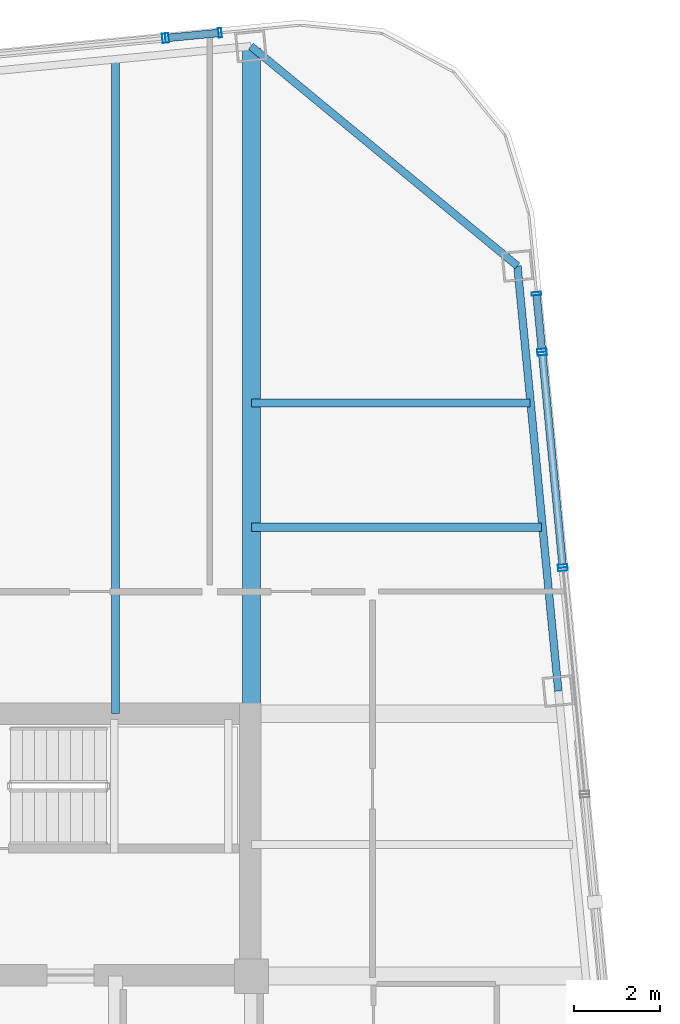
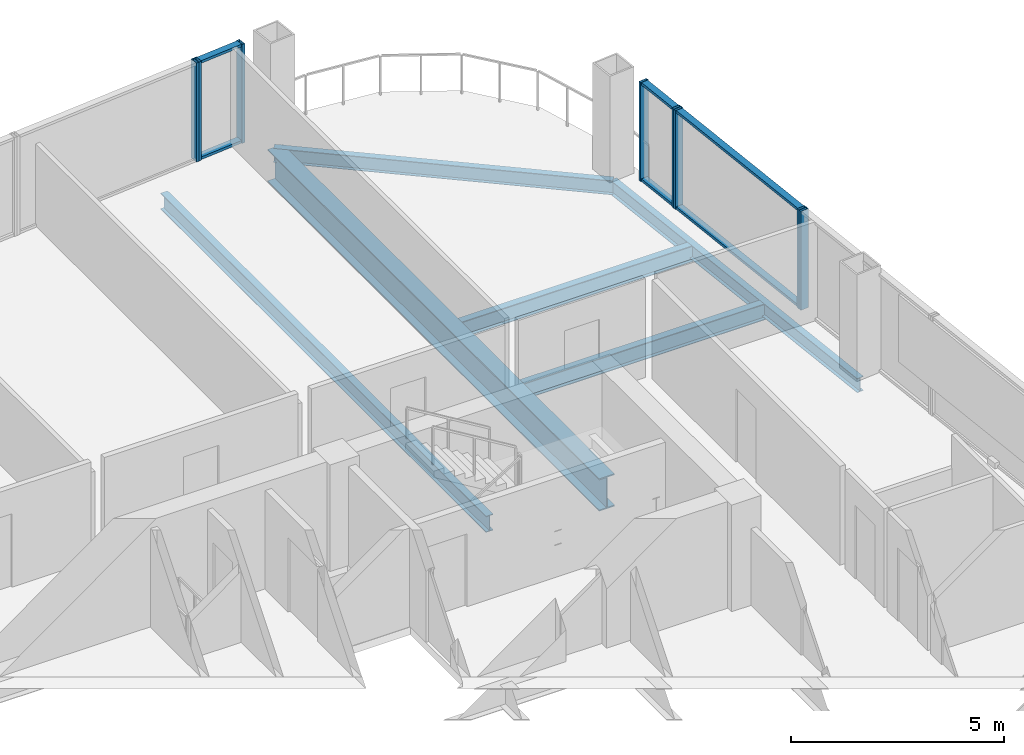
# One storey, part 15 of 22: 14 members, 6 beams, 5 elements without a shape of their own.
"""IFC4 building model written with IfcOpenShell, lengths in metres."""

from ifc_helpers import new_model, si_unit, direction, frame, origin, origin_2d, place, context, subcontext, project, spatial, hollow_rectangle, i_section, extrude, material, layer, layer_set, material_profile, profile_set, type_object, element, aggregate, save


model = new_model("IFC4")

# Units and contexts
model_context = context("Model", 3, precision=1e-05, world=origin(), true_north=direction((0.0, 1.0)))
body_context = subcontext(model_context, "Body", "Model", "MODEL_VIEW")
ifc_project = project(units=[si_unit("LENGTHUNIT", "METRE"), si_unit("AREAUNIT", "SQUARE_METRE"), si_unit("VOLUMEUNIT", "CUBIC_METRE"), si_unit("PLANEANGLEUNIT", "RADIAN"), si_unit("MASSUNIT", "GRAM", prefix="KILO")], contexts=[model_context])

# Site, building, storey
site_placement = place(None, origin())
site = spatial("IfcSite", under=ifc_project, at=site_placement, CompositionType="ELEMENT")
building_placement = place(site_placement, origin())
building = spatial("IfcBuilding", under=site, at=building_placement, Name="Qhalaya Broadcast Tower", CompositionType="ELEMENT")
storey_placement = place(building_placement, frame((0.0, 0.0, 165.300048828125)))
storey = spatial("IfcBuildingStorey", under=building, at=storey_placement, Name="L48", CompositionType="ELEMENT", Elevation=165.300048828125)

# Beams
ifc_material_1 = material(Name="Structural Steel ASTM A992 Grade 50", Category="steel")
ifc_material_profile_1 = material_profile(ifc_material_1, i_section(OverallWidth=0.19189453125, OverallDepth=0.462890625, WebThickness=0.010498046875, FlangeThickness=0.017578125, at=origin_2d()), Name="W18X60")
ifc_profile_set_1 = profile_set([ifc_material_profile_1], Name="Structural Steel ASTM A992 Grade 50")
beam_type_1 = type_object("IfcBeamType", Name="Composite Floor Joist J03", PredefinedType="JOIST", material=ifc_profile_set_1)
beam_1_placement = place(storey_placement, frame((6.199951171875, 9.949951171875, -0.45166015625), z_axis=(0.0, 1.0, 0.0), x_axis=(-1.0, 0.0, 0.0)))
element("IfcBeam", 1, at=beam_1_placement, inside=storey, type_object=beam_type_1, Name="L48 J03 L48-JNN5-1", PredefinedType="JOIST", context=body_context, shape_type="SweptSolid", body=[
    extrude(i_section(OverallWidth=0.19189453125, OverallDepth=0.462890625, WebThickness=0.010498046875, FlangeThickness=0.017578125, at=origin_2d()), origin(), (0.0, 0.0, 1.0), 15.25341796875),
])
beam_2_placement = place(storey_placement, frame((9.375, 14.300048828125, -0.45166015625), z_axis=(1.0, 0.0, 0.0), x_axis=(0.0, 1.0, 0.0)))
element("IfcBeam", 2, at=beam_2_placement, inside=storey, type_object=beam_type_1, Name="L48 J03 L48-JWE6E-1", PredefinedType="JOIST", context=body_context, shape_type="SweptSolid", body=[
    extrude(i_section(OverallWidth=0.19189453125, OverallDepth=0.462890625, WebThickness=0.010498046875, FlangeThickness=0.017578125, at=origin_2d()), origin(), (0.0, 0.0, 1.0), 6.7744140625),
])
beam_3_placement = place(storey_placement, frame((9.375, 17.199951171875, -0.45166015625), z_axis=(1.0, 0.0, 0.0), x_axis=(0.0, 1.0, 0.0)))
element("IfcBeam", 3, at=beam_3_placement, inside=storey, type_object=beam_type_1, Name="L48 J03 L48-JWE7E-1", PredefinedType="JOIST", context=body_context, shape_type="SweptSolid", body=[
    extrude(i_section(OverallWidth=0.19189453125, OverallDepth=0.462890625, WebThickness=0.010498046875, FlangeThickness=0.017578125, at=origin_2d()), origin(), (0.0, 0.0, 1.0), 6.4951171875),
])
ifc_material_profile_2 = material_profile(ifc_material_1, i_section(OverallWidth=0.4189453125, OverallDepth=0.927001953125, WebThickness=0.019287109375, FlangeThickness=0.031982421875, at=origin_2d()), Name="W36X231")
ifc_profile_set_2 = profile_set([ifc_material_profile_2], Name="Structural Steel ASTM A992 Grade 50")
beam_type_2 = type_object("IfcBeamType", Name="Mid Block Primary Girder PG3", PredefinedType="USERDEFINED", material=ifc_profile_set_2)
beam_4_placement = place(storey_placement, frame((9.375, 9.949951171875, -0.68359375), z_axis=(0.0, 1.0, 0.0), x_axis=(-1.0, 0.0, 0.0)))
element("IfcBeam", 4, at=beam_4_placement, inside=storey, type_object=beam_type_2, Name="L48 PG3 L48-PGXN2-1", ObjectType="GIRDER", PredefinedType="USERDEFINED", context=body_context, shape_type="SweptSolid", body=[
    extrude(i_section(OverallWidth=0.4189453125, OverallDepth=0.927001953125, WebThickness=0.019287109375, FlangeThickness=0.031982421875, at=origin_2d()), origin(), (0.0, 0.0, 1.0), 15.541259765625),
])

# Curtain wall, member
ifc_material_2 = material(Name="Solar-Control Low-E Triple Glazing", Category="glass")
ifc_layer_1 = layer(ifc_material_2, 0.219970703125, Name="Solar-Control Low-E Triple Glazing")
ifc_layer_set_1 = layer_set([ifc_layer_1], Name="Solar-Control Low-E Triple Glazing")
curtain_wall_type_1 = type_object("IfcCurtainWallType", Name="Even-Block 4-Storey Double-Module Curtain Wall CW-03", PredefinedType="NOTDEFINED", material=ifc_layer_set_1)
curtain_wall_1_placement = place(storey_placement, origin())
curtain_wall_1 = element("IfcCurtainWall", 5, at=curtain_wall_1_placement, inside=storey, type_object=curtain_wall_type_1, Name="L48 Unitised Curtain Wall L48-CW-E5", PredefinedType="NOTDEFINED")
ifc_material_3 = material(Name="Anodised Aluminium 6063-T6", Category="aluminium")
ifc_material_profile_3 = material_profile(ifc_material_3, hollow_rectangle(XDim=0.074951171875, YDim=0.219970703125, WallThickness=0.00390625, at=origin_2d()), Name="ALU-MUL 75x220x4")
ifc_profile_set_3 = profile_set([ifc_material_profile_3], Name="Anodised Aluminium 6063-T6")
member_type_1 = type_object("IfcMemberType", Name="Unitised Curtain-Wall Mullion M01", PredefinedType="MULLION", material=ifc_profile_set_3)
member_1_placement = place(storey_placement, frame((16.6455078125, 13.3212890625, 0.0), z_axis=(0.0, 0.0, 1.0), x_axis=(-0.095837976406, 0.995396947091, 0.0)))
member_1 = element("IfcMember", 6, at=member_1_placement, type_object=member_type_1, Name="CW-03 mullion 2", PredefinedType="MULLION", context=body_context, shape_type="SweptSolid", body=[
    extrude(hollow_rectangle(XDim=0.074951171875, YDim=0.219970703125, WallThickness=0.00390625, at=origin_2d()), origin(), (0.0, 0.0, 1.0), 2.829833984375),
])
aggregate(curtain_wall_1, [member_1])

# Curtain wall, members
ifc_material_4 = material(Name="Fired Architectural Terracotta", Category="masonry")
ifc_layer_2 = layer(ifc_material_4, 0.219970703125, Name="Fired Architectural Terracotta")
ifc_layer_set_2 = layer_set([ifc_layer_2], Name="Fired Architectural Terracotta")
curtain_wall_type_2 = type_object("IfcCurtainWallType", Name="Block-Cap Unitised Terracotta Spandrel Wall CW-07", PredefinedType="NOTDEFINED", material=ifc_layer_set_2)
curtain_wall_2_placement = place(storey_placement, origin())
curtain_wall_2 = element("IfcCurtainWall", 7, at=curtain_wall_2_placement, inside=storey, type_object=curtain_wall_type_2, Name="L48 Unitised Curtain Wall L48-CW-E6", PredefinedType="NOTDEFINED")
member_2_placement = place(storey_placement, frame((16.638427734375, 13.39599609375, 0.0), z_axis=(0.0, 0.0, 1.0), x_axis=(-0.095846949325, 0.995396083127, 0.0)))
member_2 = element("IfcMember", 8, at=member_2_placement, type_object=member_type_1, Name="CW-07 mullion 1", PredefinedType="MULLION", context=body_context, shape_type="SweptSolid", body=[
    extrude(hollow_rectangle(XDim=0.074951171875, YDim=0.219970703125, WallThickness=0.00390625, at=origin_2d()), origin(), (0.0, 0.0, 1.0), 2.829833984375),
])
member_3_placement = place(storey_placement, frame((16.160888671875, 18.35400390625, 0.0), z_axis=(0.0, 0.0, 1.0), x_axis=(-0.095846949325, 0.995396083127, 0.0)))
member_3 = element("IfcMember", 9, at=member_3_placement, type_object=member_type_1, Name="CW-07 mullion 2", PredefinedType="MULLION", context=body_context, shape_type="SweptSolid", body=[
    extrude(hollow_rectangle(XDim=0.074951171875, YDim=0.219970703125, WallThickness=0.00390625, at=origin_2d()), origin(), (0.0, 0.0, 1.0), 2.829833984375),
])

curtain_wall_3_placement = place(storey_placement, origin())
curtain_wall_3 = element("IfcCurtainWall", 10, at=curtain_wall_3_placement, inside=storey, type_object=curtain_wall_type_1, Name="L48 Unitised Curtain Wall L48-CW-E7", PredefinedType="NOTDEFINED")
member_4_placement = place(storey_placement, frame((16.15380859375, 18.4287109375, 0.0), z_axis=(0.0, 0.0, 1.0), x_axis=(-0.095873796301, 0.99539349766, 0.0)))
member_4 = element("IfcMember", 11, at=member_4_placement, type_object=member_type_1, Name="CW-03 mullion 1", PredefinedType="MULLION", context=body_context, shape_type="SweptSolid", body=[
    extrude(hollow_rectangle(XDim=0.074951171875, YDim=0.219970703125, WallThickness=0.00390625, at=origin_2d()), origin(), (0.0, 0.0, 1.0), 2.829833984375),
])
member_5_placement = place(storey_placement, frame((16.026123046875, 19.75244140625, 0.0), z_axis=(0.0, 0.0, 1.0), x_axis=(-0.095873796301, 0.99539349766, 0.0)))
member_5 = element("IfcMember", 12, at=member_5_placement, type_object=member_type_1, Name="CW-03 mullion 2", PredefinedType="MULLION", context=body_context, shape_type="SweptSolid", body=[
    extrude(hollow_rectangle(XDim=0.074951171875, YDim=0.219970703125, WallThickness=0.00390625, at=origin_2d()), origin(), (0.0, 0.0, 1.0), 2.829833984375),
])

curtain_wall_4_placement = place(storey_placement, origin())
curtain_wall_4 = element("IfcCurtainWall", 13, at=curtain_wall_4_placement, inside=storey, type_object=curtain_wall_type_1, Name="L48 Unitised Curtain Wall L48-CW-N1", PredefinedType="NOTDEFINED")
member_6_placement = place(storey_placement, frame((8.64111328125, 25.840087890625, 0.0), z_axis=(0.0, 0.0, 1.0), x_axis=(-0.99539857312, -0.095821086563, 0.0)))
member_6 = element("IfcMember", 14, at=member_6_placement, type_object=member_type_1, Name="CW-03 mullion 1", PredefinedType="MULLION", context=body_context, shape_type="SweptSolid", body=[
    extrude(hollow_rectangle(XDim=0.074951171875, YDim=0.219970703125, WallThickness=0.00390625, at=origin_2d()), origin(), (0.0, 0.0, 1.0), 2.829833984375),
])
member_7_placement = place(storey_placement, frame((7.406982421875, 25.721435546875, 0.0), z_axis=(0.0, 0.0, 1.0), x_axis=(-0.99539857312, -0.095821086563, 0.0)))
member_7 = element("IfcMember", 15, at=member_7_placement, type_object=member_type_1, Name="CW-03 mullion 2", PredefinedType="MULLION", context=body_context, shape_type="SweptSolid", body=[
    extrude(hollow_rectangle(XDim=0.074951171875, YDim=0.219970703125, WallThickness=0.00390625, at=origin_2d()), origin(), (0.0, 0.0, 1.0), 2.829833984375),
])

# Curtain wall, member
curtain_wall_5_placement = place(storey_placement, origin())
curtain_wall_5 = element("IfcCurtainWall", 16, at=curtain_wall_5_placement, inside=storey, type_object=curtain_wall_type_2, Name="L48 Unitised Curtain Wall L48-CW-N2", PredefinedType="NOTDEFINED")
member_8_placement = place(storey_placement, frame((7.332275390625, 25.714111328125, 0.0), z_axis=(0.0, 0.0, 1.0), x_axis=(-0.995395267059, -0.095855424032, 0.0)))
member_8 = element("IfcMember", 17, at=member_8_placement, type_object=member_type_1, Name="CW-07 mullion 1", PredefinedType="MULLION", context=body_context, shape_type="SweptSolid", body=[
    extrude(hollow_rectangle(XDim=0.074951171875, YDim=0.219970703125, WallThickness=0.00390625, at=origin_2d()), origin(), (0.0, 0.0, 1.0), 2.829833984375),
])
aggregate(curtain_wall_5, [member_8])

# Member
ifc_material_profile_4 = material_profile(ifc_material_3, hollow_rectangle(XDim=0.074951171875, YDim=0.179931640625, WallThickness=0.00390625, at=origin_2d()), Name="ALU-TRN 75x180x4")
ifc_profile_set_4 = profile_set([ifc_material_profile_4], Name="Anodised Aluminium 6063-T6")
member_type_2 = type_object("IfcMemberType", Name="Unitised Curtain-Wall Transom T01", PredefinedType="USERDEFINED", material=ifc_profile_set_4)
member_9_placement = place(storey_placement, frame((16.634765625, 13.433349609375, 0.037353515625), z_axis=(-0.0958470571, 0.99539607275, 0.0), x_axis=(0.0, 0.0, 1.0)))
member_9 = element("IfcMember", 18, at=member_9_placement, type_object=member_type_2, Name="CW-07 transom 1.1", ObjectType="TRANSOM", PredefinedType="USERDEFINED", context=body_context, shape_type="SweptSolid", body=[
    extrude(hollow_rectangle(XDim=0.074951171875, YDim=0.179931640625, WallThickness=0.00390625, at=origin_2d()), origin(), (0.0, 0.0, 1.0), 4.906005859375),
])

member_10_placement = place(storey_placement, frame((16.634765625, 13.433349609375, 2.79248046875), z_axis=(-0.0958470571, 0.99539607275, 0.0), x_axis=(0.0, 0.0, 1.0)))
member_10 = element("IfcMember", 19, at=member_10_placement, type_object=member_type_2, Name="CW-07 transom 1.2", ObjectType="TRANSOM", PredefinedType="USERDEFINED", context=body_context, shape_type="SweptSolid", body=[
    extrude(hollow_rectangle(XDim=0.074951171875, YDim=0.179931640625, WallThickness=0.00390625, at=origin_2d()), origin(), (0.0, 0.0, 1.0), 4.906005859375),
])

aggregate(curtain_wall_2, [member_2, member_3, member_9, member_10])

member_11_placement = place(storey_placement, frame((16.150146484375, 18.466064453125, 0.037353515625), z_axis=(-0.095920015465, 0.995389044863, 0.0), x_axis=(0.0, 0.0, 1.0)))
member_11 = element("IfcMember", 20, at=member_11_placement, type_object=member_type_2, Name="CW-03 transom 1.1", ObjectType="TRANSOM", PredefinedType="USERDEFINED", context=body_context, shape_type="SweptSolid", body=[
    extrude(hollow_rectangle(XDim=0.074951171875, YDim=0.179931640625, WallThickness=0.00390625, at=origin_2d()), origin(), (0.0, 0.0, 1.0), 1.2548828125),
])

member_12_placement = place(storey_placement, frame((16.150146484375, 18.466064453125, 2.79248046875), z_axis=(-0.095920015465, 0.995389044863, 0.0), x_axis=(0.0, 0.0, 1.0)))
member_12 = element("IfcMember", 21, at=member_12_placement, type_object=member_type_2, Name="CW-03 transom 1.2", ObjectType="TRANSOM", PredefinedType="USERDEFINED", context=body_context, shape_type="SweptSolid", body=[
    extrude(hollow_rectangle(XDim=0.074951171875, YDim=0.179931640625, WallThickness=0.00390625, at=origin_2d()), origin(), (0.0, 0.0, 1.0), 1.2548828125),
])

aggregate(curtain_wall_3, [member_4, member_5, member_11, member_12])

member_13_placement = place(storey_placement, frame((8.603759765625, 25.836669921875, 0.037353515625), z_axis=(-0.995401729679, -0.095788290264, 0.0), x_axis=(0.0, 0.0, 1.0)))
member_13 = element("IfcMember", 22, at=member_13_placement, type_object=member_type_2, Name="CW-03 transom 1.1", ObjectType="TRANSOM", PredefinedType="USERDEFINED", context=body_context, shape_type="SweptSolid", body=[
    extrude(hollow_rectangle(XDim=0.074951171875, YDim=0.179931640625, WallThickness=0.00390625, at=origin_2d()), origin(), (0.0, 0.0, 1.0), 1.164794921875),
])

member_14_placement = place(storey_placement, frame((8.603759765625, 25.836669921875, 2.79248046875), z_axis=(-0.995401729679, -0.095788290264, 0.0), x_axis=(0.0, 0.0, 1.0)))
member_14 = element("IfcMember", 23, at=member_14_placement, type_object=member_type_2, Name="CW-03 transom 1.2", ObjectType="TRANSOM", PredefinedType="USERDEFINED", context=body_context, shape_type="SweptSolid", body=[
    extrude(hollow_rectangle(XDim=0.074951171875, YDim=0.179931640625, WallThickness=0.00390625, at=origin_2d()), origin(), (0.0, 0.0, 1.0), 1.164794921875),
])

aggregate(curtain_wall_4, [member_6, member_7, member_13, member_14])

# Beams
ifc_material_profile_5 = material_profile(ifc_material_1, i_section(OverallWidth=0.177978515625, OverallDepth=0.406005859375, WebThickness=0.0078125, FlangeThickness=0.0126953125, at=origin_2d()), Name="W16X40")
ifc_profile_set_5 = profile_set([ifc_material_profile_5], Name="Structural Steel ASTM A992 Grade 50")
beam_type_3 = type_object("IfcBeamType", Name="Upper Perimeter Spandrel Beam SP2", PredefinedType="SPANDREL", material=ifc_profile_set_5)
beam_5_placement = place(storey_placement, frame((16.537353515625, 10.4794921875, -0.423095703125), z_axis=(-0.095850563819, 0.99539573508, 0.0), x_axis=(-0.99539573508, -0.095850563819, 0.0)))
element("IfcBeam", 24, at=beam_5_placement, inside=storey, type_object=beam_type_3, Name="L48 SP2 L48-SPR-07", PredefinedType="SPANDREL", context=body_context, shape_type="SweptSolid", body=[
    extrude(i_section(OverallWidth=0.177978515625, OverallDepth=0.406005859375, WebThickness=0.0078125, FlangeThickness=0.0126953125, at=origin_2d()), origin(), (0.0, 0.0, 1.0), 9.966796875),
])
beam_6_placement = place(storey_placement, frame((15.58203125, 20.400390625, -0.423095703125), z_axis=(-0.771618906354, 0.636085107008, 0.0), x_axis=(-0.636085107008, -0.771618906354, 0.0)))
element("IfcBeam", 25, at=beam_6_placement, inside=storey, type_object=beam_type_3, Name="L48 SP2 L48-SPR-08", PredefinedType="SPANDREL", context=body_context, shape_type="SweptSolid", body=[
    extrude(i_section(OverallWidth=0.177978515625, OverallDepth=0.406005859375, WebThickness=0.0078125, FlangeThickness=0.0126953125, at=origin_2d()), origin(), (0.0, 0.0, 1.0), 8.06103515625),
])

save(model, "model.ifc")
